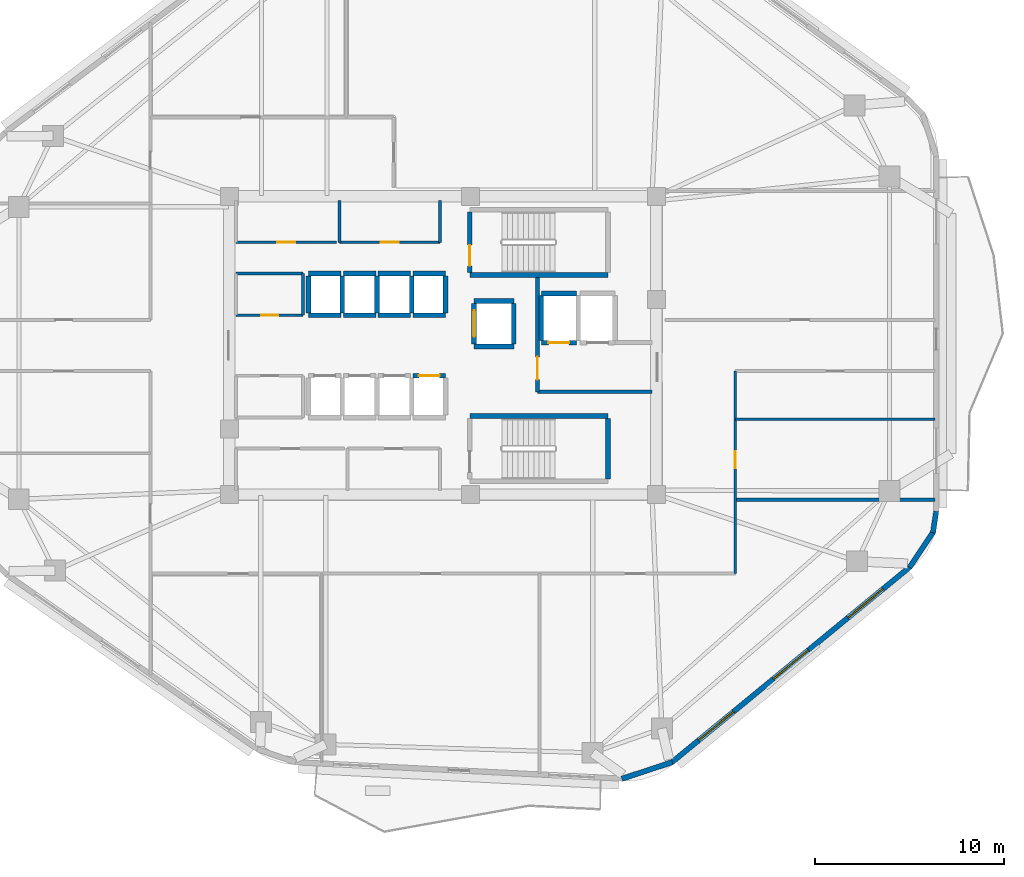
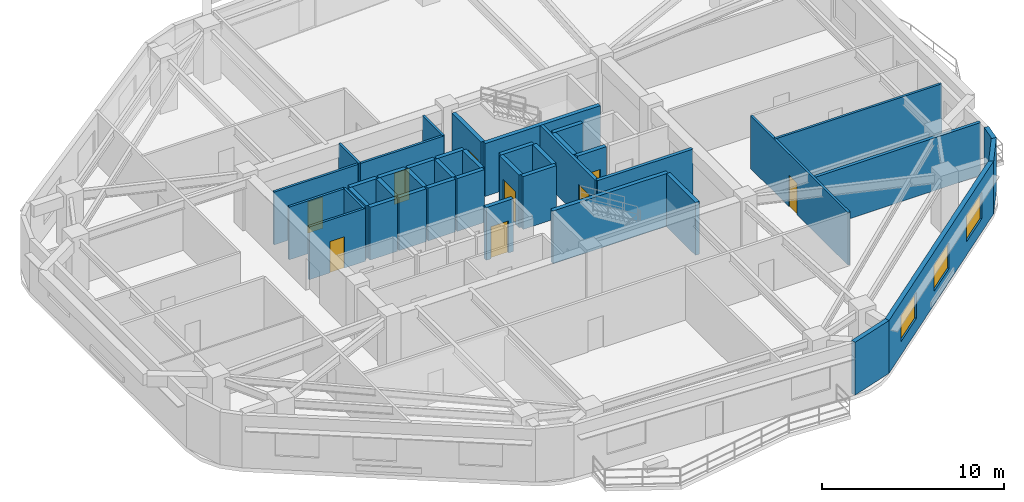
# One storey, part 4 of 8: 41 walls, 9 doors, 3 windows, 12 openings.
"""IFC4 building model written with IfcOpenShell, lengths in metres."""

from ifc_helpers import new_model, si_unit, direction, frame, frame_2d, origin, place, context, subcontext, project, spatial, rectangle, extrude, material, layer, layer_set, type_object, element, fill, save


model = new_model("IFC4")

# Units and contexts
model_context = context("Model", 3, precision=1e-05, world=origin(), true_north=direction((0.0, 1.0)))
body_context = subcontext(model_context, "Body", "Model", "MODEL_VIEW")
ifc_project = project(units=[si_unit("LENGTHUNIT", "METRE"), si_unit("AREAUNIT", "SQUARE_METRE"), si_unit("VOLUMEUNIT", "CUBIC_METRE"), si_unit("PLANEANGLEUNIT", "RADIAN"), si_unit("MASSUNIT", "GRAM", prefix="KILO")], contexts=[model_context])

# Site, building, storey
site_placement = place(None, origin())
site = spatial("IfcSite", under=ifc_project, at=site_placement, CompositionType="ELEMENT")
building_placement = place(site_placement, origin())
building = spatial("IfcBuilding", under=site, at=building_placement, Name="Zulverin Broadcast Headquarters", CompositionType="ELEMENT")
storey_placement = place(building_placement, frame((0.0, 0.0, 136.39990234375)))
storey = spatial("IfcBuildingStorey", under=building, at=storey_placement, Name="L34", CompositionType="ELEMENT", Elevation=136.39990234375)

# Wall
ifc_material_1 = material(Name="Acoustic drywall steel stud", Category="steel")
ifc_layer_1 = layer(ifc_material_1, 0.199951171875, Name="Acoustic drywall steel stud", Category="steel")
ifc_layer_set_1 = layer_set([ifc_layer_1], Name="Acoustic drywall steel stud")
wall_type_1 = type_object("IfcWallType", Name="WL-ACOU-200", PredefinedType="PARTITIONING", material=ifc_layer_set_1)
wall_1_placement = place(storey_placement, frame((52.449951171875, 17.050048828125, 0.0), z_axis=(0.0, 0.0, 1.0), x_axis=(1.0, 0.0, 0.0)))
element("IfcWall", 1, at=wall_1_placement, inside=storey, type_object=wall_type_1, Name="L34 Room Partition Wall RP-09", PredefinedType="PARTITIONING", context=body_context, shape_type="SweptSolid", body=[
    extrude(rectangle(XDim=10.545166015625, YDim=0.199951171875, at=frame_2d((5.2724609375, 0.0))), origin(), (0.0, 0.0, 1.0), 3.5400390625),
])

# Wall, openings, windows
ifc_material_2 = material(Name="Insulated pale-metal clad concrete spandrel C40/50", Category="concrete")
ifc_layer_2 = layer(ifc_material_2, 0.280029296875, Name="Insulated pale-metal clad concrete spandrel C40/50", Category="concrete")
ifc_layer_set_2 = layer_set([ifc_layer_2], Name="Insulated pale-metal clad concrete spandrel C40/50")
wall_type_2 = type_object("IfcWallType", Name="WL-EXT-280", PredefinedType="STANDARD", material=ifc_layer_set_2)
wall_2_placement = place(storey_placement, frame((49.080078125, 3.164306640625, 0.0), z_axis=(0.0, 0.0, 1.0), x_axis=(0.772937830186, 0.634481765433, 0.0)))
wall_2 = element("IfcWall", 2, at=wall_2_placement, inside=storey, type_object=wall_type_2, Name="L34 Pale-Metal Clad Spandrel Wall 2", PredefinedType="STANDARD", context=body_context, shape_type="SweptSolid", body=[
    extrude(rectangle(XDim=16.308837890625, YDim=0.280029296875, at=frame_2d((8.154296875, 0.0))), origin(), (0.0, 0.0, 1.0), 3.5400390625),
])
opening_1_placement = place(wall_2_placement, frame((1.8515625, 0.0, 0.89990234375)))
opening_1 = element("IfcOpeningElement", 3, at=opening_1_placement, cuts=wall_2, Name="Opening W-L34-E21", PredefinedType="OPENING", context=body_context, shape_type="SweptSolid", body=[
    extrude(rectangle(XDim=2.39990234375, YDim=1.75, at=frame_2d((1.199951171875, 0.875))), frame((0.0, 0.14990234375, 0.0), z_axis=(0.0, -1.0, 0.0), x_axis=(1.0, 0.0, 0.0)), (0.0, 0.0, 1.0), 0.300048828125),
])
opening_2_placement = place(wall_2_placement, frame((6.954345703125, 0.0, 0.89990234375)))
opening_2 = element("IfcOpeningElement", 4, at=opening_2_placement, cuts=wall_2, Name="Opening W-L34-E22", PredefinedType="OPENING", context=body_context, shape_type="SweptSolid", body=[
    extrude(rectangle(XDim=2.39990234375, YDim=1.75, at=frame_2d((1.199951171875, 0.875))), frame((0.0, 0.14990234375, 0.0), z_axis=(0.0, -1.0, 0.0), x_axis=(1.0, 0.0, 0.0)), (0.0, 0.0, 1.0), 0.300048828125),
])
opening_3_placement = place(wall_2_placement, frame((12.057373046875, 0.0, 0.89990234375)))
opening_3 = element("IfcOpeningElement", 5, at=opening_3_placement, cuts=wall_2, Name="Opening W-L34-E23", PredefinedType="OPENING", context=body_context, shape_type="SweptSolid", body=[
    extrude(rectangle(XDim=2.39990234375, YDim=1.75, at=frame_2d((1.199951171875, 0.875))), frame((0.0, 0.14990234375, 0.0), z_axis=(0.0, -1.0, 0.0), x_axis=(1.0, 0.0, 0.0)), (0.0, 0.0, 1.0), 0.300048828125),
])
ifc_material_3 = material(Name="Pale anodized aluminium frame with solar-control low-E double glazing", Category="aluminium")
window_type = type_object("IfcWindowType", Name="WIN-RIB-2400", PartitioningType="SINGLE_PANEL", PredefinedType="WINDOW", material=ifc_material_3)
window_1_placement = place(opening_1_placement, origin())
window_1 = element("IfcWindow", 6, at=window_1_placement, inside=storey, type_object=window_type, Name="L34 Ribbon Glazing Window 2 1", OverallHeight=1.75, OverallWidth=2.39990234375, PartitioningType="SINGLE_PANEL", PredefinedType="WINDOW", context=body_context, shape_type="SweptSolid", body=[
    extrude(rectangle(XDim=2.39990234375, YDim=1.75, at=frame_2d((1.199951171875, 0.875))), frame((0.0, 0.030029296875, 0.0), z_axis=(0.0, -1.0, 0.0), x_axis=(1.0, 0.0, 0.0)), (0.0, 0.0, 1.0), 0.06005859375),
])
fill(opening_1, window_1)
window_2_placement = place(opening_2_placement, origin())
window_2 = element("IfcWindow", 7, at=window_2_placement, inside=storey, type_object=window_type, Name="L34 Ribbon Glazing Window 2 2", OverallHeight=1.75, OverallWidth=2.39990234375, PartitioningType="SINGLE_PANEL", PredefinedType="WINDOW", context=body_context, shape_type="SweptSolid", body=[
    extrude(rectangle(XDim=2.39990234375, YDim=1.75, at=frame_2d((1.199951171875, 0.875))), frame((0.0, 0.030029296875, 0.0), z_axis=(0.0, -1.0, 0.0), x_axis=(1.0, 0.0, 0.0)), (0.0, 0.0, 1.0), 0.06005859375),
])
fill(opening_2, window_2)
window_3_placement = place(opening_3_placement, origin())
window_3 = element("IfcWindow", 8, at=window_3_placement, inside=storey, type_object=window_type, Name="L34 Ribbon Glazing Window 2 3", OverallHeight=1.75, OverallWidth=2.39990234375, PartitioningType="SINGLE_PANEL", PredefinedType="WINDOW", context=body_context, shape_type="SweptSolid", body=[
    extrude(rectangle(XDim=2.39990234375, YDim=1.75, at=frame_2d((1.199951171875, 0.875))), frame((0.0, 0.030029296875, 0.0), z_axis=(0.0, -1.0, 0.0), x_axis=(1.0, 0.0, 0.0)), (0.0, 0.0, 1.0), 0.06005859375),
])
fill(opening_3, window_3)

# Walls
wall_3_placement = place(storey_placement, frame((46.455078125, 2.30859375, 0.0), z_axis=(0.0, 0.0, 1.0), x_axis=(0.949677222099, 0.313230224955, 0.0)))
element("IfcWall", 9, at=wall_3_placement, inside=storey, type_object=wall_type_2, Name="L34 Wind-Shaped Corner Spandrel Wall 1-1", PredefinedType="STANDARD", context=body_context, shape_type="SweptSolid", body=[
    extrude(rectangle(XDim=2.811279296875, YDim=0.280029296875, at=frame_2d((1.40576171875, 0.0))), origin(), (0.0, 0.0, 1.0), 3.5400390625),
])
wall_4_placement = place(storey_placement, frame((61.658203125, 13.481689453125, 0.0), z_axis=(0.0, 0.0, 1.0), x_axis=(0.555521224344, 0.831502356764, 0.0)))
element("IfcWall", 10, at=wall_4_placement, inside=storey, type_object=wall_type_2, Name="L34 Wind-Shaped Corner Spandrel Wall 2-1", PredefinedType="STANDARD", context=body_context, shape_type="SweptSolid", body=[
    extrude(rectangle(XDim=2.263671875, YDim=0.280029296875, at=frame_2d((1.1318359375, 0.0))), origin(), (0.0, 0.0, 1.0), 3.5400390625),
])
wall_5_placement = place(storey_placement, frame((62.8935546875, 15.306884765625, 0.0), z_axis=(0.0, 0.0, 1.0), x_axis=(0.146796104284, 0.989166772474, 0.0)))
element("IfcWall", 11, at=wall_5_placement, inside=storey, type_object=wall_type_2, Name="L34 Wind-Shaped Corner Spandrel Wall 2-2", PredefinedType="STANDARD", context=body_context, shape_type="SweptSolid", body=[
    extrude(rectangle(XDim=1.144287109375, YDim=0.280029296875, at=frame_2d((0.572265625, 0.0))), origin(), (0.0, 0.0, 1.0), 3.5400390625),
])

# Wall, opening, door
ifc_material_4 = material(Name="Concrete C40/50", Category="concrete")
ifc_layer_3 = layer(ifc_material_4, 0.199951171875, Name="Concrete C40/50", Category="concrete")
ifc_layer_set_3 = layer_set([ifc_layer_3], Name="Concrete C40/50")
wall_type_3 = type_object("IfcWallType", Name="WL-FFL-200", PredefinedType="SOLIDWALL", material=ifc_layer_set_3)
wall_6_placement = place(storey_placement, frame((42.0, 22.75, 0.0), z_axis=(0.0, 0.0, 1.0), x_axis=(0.0, 1.0, 0.0)))
wall_6 = element("IfcWall", 12, at=wall_6_placement, inside=storey, type_object=wall_type_3, Name="L34 Firefighting Lift Lobby West Wall", PredefinedType="SOLIDWALL", context=body_context, shape_type="SweptSolid", body=[
    extrude(rectangle(XDim=6.050048828125, YDim=0.199951171875, at=frame_2d((3.02490234375, 0.0))), origin(), (0.0, 0.0, 1.0), 3.5400390625),
])
opening_4_placement = place(wall_6_placement, frame((0.64990234375, 0.0, 0.0)))
opening_4 = element("IfcOpeningElement", 13, at=opening_4_placement, cuts=wall_6, Name="Opening D-L34-FFLW", PredefinedType="OPENING", context=body_context, shape_type="SweptSolid", body=[
    extrude(rectangle(XDim=1.199951171875, YDim=2.14990234375, at=frame_2d((0.60009765625, 1.074951171875))), frame((0.0, 0.10986328125, 0.0), z_axis=(0.0, -1.0, 0.0), x_axis=(1.0, 0.0, 0.0)), (0.0, 0.0, 1.0), 0.219970703125),
])
ifc_material_5 = material(Name="Fire-rated steel leaf and frame", Category="steel")
door_type_1 = type_object("IfcDoorType", Name="DR-FFL-1200", OperationType="SINGLE_SWING_RIGHT", PredefinedType="DOOR", material=ifc_material_5)
door_1_placement = place(opening_4_placement, origin())
door_1 = element("IfcDoor", 14, at=door_1_placement, inside=storey, type_object=door_type_1, Name="L34 Firefighting Lift Lobby Door", OperationType="SINGLE_SWING_RIGHT", OverallHeight=2.14990234375, OverallWidth=1.199951171875, PredefinedType="DOOR", context=body_context, shape_type="SweptSolid", body=[
    extrude(rectangle(XDim=1.199951171875, YDim=2.14990234375, at=frame_2d((0.60009765625, 1.074951171875))), frame((0.0, 0.02490234375, 0.0), z_axis=(0.0, -1.0, 0.0), x_axis=(1.0, 0.0, 0.0)), (0.0, 0.0, 1.0), 0.050048828125),
])
fill(opening_4, door_1)

# Wall
wall_7_placement = place(storey_placement, frame((42.0, 22.75, 0.0), z_axis=(0.0, 0.0, 1.0), x_axis=(1.0, 0.0, 0.0)))
element("IfcWall", 15, at=wall_7_placement, inside=storey, type_object=wall_type_3, Name="L34 Firefighting Lift Lobby South Wall", PredefinedType="SOLIDWALL", context=body_context, shape_type="SweptSolid", body=[
    extrude(rectangle(XDim=6.050048828125, YDim=0.199951171875, at=frame_2d((3.02490234375, 0.0))), origin(), (0.0, 0.0, 1.0), 3.5400390625),
])

# Wall, opening, door
ifc_material_6 = material(Name="Fire-rated gypsum stud partition", Category="gypsum")
ifc_layer_4 = layer(ifc_material_6, 0.14990234375, Name="Fire-rated gypsum stud partition", Category="gypsum")
ifc_layer_set_4 = layer_set([ifc_layer_4], Name="Fire-rated gypsum stud partition")
wall_type_4 = type_object("IfcWallType", Name="WL-PART-150", PredefinedType="PARTITIONING", material=ifc_layer_set_4)
wall_8_placement = place(storey_placement, frame((26.070068359375, 30.64990234375, 0.0), z_axis=(0.0, 0.0, 1.0), x_axis=(1.0, 0.0, 0.0)))
wall_8 = element("IfcWall", 16, at=wall_8_placement, inside=storey, type_object=wall_type_4, Name="L34 Core Male WC Front Wall", PredefinedType="PARTITIONING", context=body_context, shape_type="SweptSolid", body=[
    extrude(rectangle(XDim=5.309814453125, YDim=0.14990234375, at=frame_2d((2.65478515625, 0.0))), origin(), (0.0, 0.0, 1.0), 3.5400390625),
])
opening_5_placement = place(wall_8_placement, frame((2.179931640625, 0.0, 0.0)))
opening_5 = element("IfcOpeningElement", 17, at=opening_5_placement, cuts=wall_8, Name="Opening D-L34-NC1", PredefinedType="OPENING", context=body_context, shape_type="SweptSolid", body=[
    extrude(rectangle(XDim=0.949951171875, YDim=2.10009765625, at=frame_2d((0.47509765625, 1.050048828125))), frame((0.0, 0.0849609375, 0.0), z_axis=(0.0, -1.0, 0.0), x_axis=(1.0, 0.0, 0.0)), (0.0, 0.0, 1.0), 0.169921875),
])
ifc_material_7 = material(Name="Fire-rated moisture-resistant laminate leaf", Category="wood")
door_type_2 = type_object("IfcDoorType", Name="DR-WC-950", OperationType="SINGLE_SWING_LEFT", PredefinedType="DOOR", material=ifc_material_7)
door_2_placement = place(opening_5_placement, origin())
door_2 = element("IfcDoor", 18, at=door_2_placement, inside=storey, type_object=door_type_2, Name="L34 Male WC Door", OperationType="SINGLE_SWING_LEFT", OverallHeight=2.10009765625, OverallWidth=0.949951171875, PredefinedType="DOOR", context=body_context, shape_type="SweptSolid", body=[
    extrude(rectangle(XDim=0.949951171875, YDim=2.10009765625, at=frame_2d((0.47509765625, 1.050048828125))), frame((0.0, 0.02490234375, 0.0), z_axis=(0.0, -1.0, 0.0), x_axis=(1.0, 0.0, 0.0)), (0.0, 0.0, 1.0), 0.050048828125),
])
fill(opening_5, door_2)

wall_9_placement = place(storey_placement, frame((31.5400390625, 30.64990234375, 0.0), z_axis=(0.0, 0.0, 1.0), x_axis=(1.0, 0.0, 0.0)))
wall_9 = element("IfcWall", 19, at=wall_9_placement, inside=storey, type_object=wall_type_4, Name="L34 Core Accessible WC Front Wall", PredefinedType="PARTITIONING", context=body_context, shape_type="SweptSolid", body=[
    extrude(rectangle(XDim=5.31005859375, YDim=0.14990234375, at=frame_2d((2.655029296875, 0.0))), origin(), (0.0, 0.0, 1.0), 3.5400390625),
])
opening_6_placement = place(wall_9_placement, frame((2.179931640625, 0.0, 0.0)))
opening_6 = element("IfcOpeningElement", 20, at=opening_6_placement, cuts=wall_9, Name="Opening D-L34-NC2", PredefinedType="OPENING", context=body_context, shape_type="SweptSolid", body=[
    extrude(rectangle(XDim=0.949951171875, YDim=2.10009765625, at=frame_2d((0.47509765625, 1.050048828125))), frame((0.0, 0.0849609375, 0.0), z_axis=(0.0, -1.0, 0.0), x_axis=(1.0, 0.0, 0.0)), (0.0, 0.0, 1.0), 0.169921875),
])
door_3_placement = place(opening_6_placement, origin())
door_3 = element("IfcDoor", 21, at=door_3_placement, inside=storey, type_object=door_type_2, Name="L34 Accessible WC Door", OperationType="SINGLE_SWING_RIGHT", OverallHeight=2.10009765625, OverallWidth=0.949951171875, PredefinedType="DOOR", context=body_context, shape_type="SweptSolid", body=[
    extrude(rectangle(XDim=0.949951171875, YDim=2.10009765625, at=frame_2d((0.47509765625, 1.050048828125))), frame((0.0, 0.02490234375, 0.0), z_axis=(0.0, -1.0, 0.0), x_axis=(1.0, 0.0, 0.0)), (0.0, 0.0, 1.0), 0.050048828125),
])
fill(opening_6, door_3)

# Walls
for number, where, z_axis, x_axis, name in (
    (22, (31.5400390625, 30.64990234375, 0.0), (0.0, 0.0, 1.0), (0.0, 1.0, 0.0), "L34 Core Accessible WC West Wall"),
    (23, (36.85009765625, 30.64990234375, 0.0), (0.0, 0.0, 1.0), (0.0, 1.0, 0.0), "L34 Core Accessible WC East Wall"),
):
    element("IfcWall", number, at=place(storey_placement, frame(where, z_axis=z_axis, x_axis=x_axis)), inside=storey, type_object=wall_type_4, Name=name, PredefinedType="PARTITIONING", context=body_context, shape_type="SweptSolid", body=[
        extrude(rectangle(XDim=2.2001953125, YDim=0.14990234375, at=frame_2d((1.10009765625, 0.0))), origin(), (0.0, 0.0, 1.0), 3.5400390625),
    ])

# Wall, opening, door
wall_10_placement = place(storey_placement, frame((26.070068359375, 26.800048828125, 0.0), z_axis=(0.0, 0.0, 1.0), x_axis=(1.0, 0.0, 0.0)))
wall_10 = element("IfcWall", 24, at=wall_10_placement, inside=storey, type_object=wall_type_4, Name="L34 Broadcast Signal Patch Room S Wall", PredefinedType="PARTITIONING", context=body_context, shape_type="SweptSolid", body=[
    extrude(rectangle(XDim=3.550048828125, YDim=0.14990234375, at=frame_2d((1.77490234375, 0.0))), origin(), (0.0, 0.0, 1.0), 3.5400390625),
])
opening_7_placement = place(wall_10_placement, frame((1.324951171875, 0.0, 0.0)))
opening_7 = element("IfcOpeningElement", 25, at=opening_7_placement, cuts=wall_10, Name="Opening D-L34-RCLN", PredefinedType="OPENING", context=body_context, shape_type="SweptSolid", body=[
    extrude(rectangle(XDim=0.89990234375, YDim=2.10009765625, at=frame_2d((0.449951171875, 1.050048828125))), frame((0.0, 0.0849609375, 0.0), z_axis=(0.0, -1.0, 0.0), x_axis=(1.0, 0.0, 0.0)), (0.0, 0.0, 1.0), 0.169921875),
])
ifc_material_8 = material(Name="Powder-coated steel access leaf", Category="steel")
door_type_3 = type_object("IfcDoorType", Name="DR-RISER-900", OperationType="SINGLE_SWING_LEFT", PredefinedType="DOOR", material=ifc_material_8)
door_4_placement = place(opening_7_placement, origin())
door_4 = element("IfcDoor", 26, at=door_4_placement, inside=storey, type_object=door_type_3, Name="L34 Broadcast Signal Patch Room Door", OperationType="SINGLE_SWING_LEFT", OverallHeight=2.10009765625, OverallWidth=0.89990234375, PredefinedType="DOOR", context=body_context, shape_type="SweptSolid", body=[
    extrude(rectangle(XDim=0.89990234375, YDim=2.10009765625, at=frame_2d((0.449951171875, 1.050048828125))), frame((0.0, 0.02490234375, 0.0), z_axis=(0.0, -1.0, 0.0), x_axis=(1.0, 0.0, 0.0)), (0.0, 0.0, 1.0), 0.050048828125),
])
fill(opening_7, door_4)

# Walls
wall_11_placement = place(storey_placement, frame((26.070068359375, 29.0, 0.0), z_axis=(0.0, 0.0, 1.0), x_axis=(1.0, 0.0, 0.0)))
element("IfcWall", 27, at=wall_11_placement, inside=storey, type_object=wall_type_4, Name="L34 Broadcast Signal Patch Room N Wall", PredefinedType="PARTITIONING", context=body_context, shape_type="SweptSolid", body=[
    extrude(rectangle(XDim=3.550048828125, YDim=0.14990234375, at=frame_2d((1.77490234375, 0.0))), origin(), (0.0, 0.0, 1.0), 3.5400390625),
])
wall_12_placement = place(storey_placement, frame((29.6201171875, 26.800048828125, 0.0), z_axis=(0.0, 0.0, 1.0), x_axis=(0.0, 1.0, 0.0)))
element("IfcWall", 28, at=wall_12_placement, inside=storey, type_object=wall_type_4, Name="L34 Broadcast Signal Patch Room E Wall", PredefinedType="PARTITIONING", context=body_context, shape_type="SweptSolid", body=[
    extrude(rectangle(XDim=2.199951171875, YDim=0.14990234375, at=frame_2d((1.10009765625, 0.0))), origin(), (0.0, 0.0, 1.0), 3.5400390625),
])

# Wall, opening, door
wall_13_placement = place(storey_placement, frame((52.449951171875, 13.14990234375, 0.0), z_axis=(0.0, 0.0, 1.0), x_axis=(0.0, 1.0, 0.0)))
wall_13 = element("IfcWall", 29, at=wall_13_placement, inside=storey, type_object=wall_type_4, Name="L34 Gallery Partition Wall CG-01", PredefinedType="PARTITIONING", context=body_context, shape_type="SweptSolid", body=[
    extrude(rectangle(XDim=10.7001953125, YDim=0.14990234375, at=frame_2d((5.35009765625, 0.0))), origin(), (0.0, 0.0, 1.0), 3.5400390625),
])
opening_8_placement = place(wall_13_placement, frame((5.574951171875, 0.0, 0.0)))
opening_8 = element("IfcOpeningElement", 30, at=opening_8_placement, cuts=wall_13, Name="Opening D-L34-10", PredefinedType="OPENING", context=body_context, shape_type="SweptSolid", body=[
    extrude(rectangle(XDim=0.89990234375, YDim=2.10009765625, at=frame_2d((0.449951171875, 1.050048828125))), frame((0.0, 0.0849609375, 0.0), z_axis=(0.0, -1.0, 0.0), x_axis=(1.0, 0.0, 0.0)), (0.0, 0.0, 1.0), 0.169921875),
])
ifc_material_9 = material(Name="Fire-rated hardwood veneer timber leaf", Category="wood")
door_type_4 = type_object("IfcDoorType", Name="DR-ROOM-900", OperationType="SINGLE_SWING_RIGHT", PredefinedType="DOOR", material=ifc_material_9)
door_5_placement = place(opening_8_placement, origin())
door_5 = element("IfcDoor", 31, at=door_5_placement, inside=storey, type_object=door_type_4, Name="L34 Reference Library Door", OperationType="SINGLE_SWING_RIGHT", OverallHeight=2.10009765625, OverallWidth=0.89990234375, PredefinedType="DOOR", context=body_context, shape_type="SweptSolid", body=[
    extrude(rectangle(XDim=0.89990234375, YDim=2.10009765625, at=frame_2d((0.449951171875, 1.050048828125))), frame((0.0, 0.02490234375, 0.0), z_axis=(0.0, -1.0, 0.0), x_axis=(1.0, 0.0, 0.0)), (0.0, 0.0, 1.0), 0.050048828125),
])
fill(opening_8, door_5)

# Walls
wall_14_placement = place(storey_placement, frame((52.449951171875, 21.300048828125, 0.0), z_axis=(0.0, 0.0, 1.0), x_axis=(1.0, 0.0, 0.0)))
element("IfcWall", 32, at=wall_14_placement, inside=storey, type_object=wall_type_4, Name="L34 Room Partition Wall RP-11", PredefinedType="PARTITIONING", context=body_context, shape_type="SweptSolid", body=[
    extrude(rectangle(XDim=10.545166015625, YDim=0.14990234375, at=frame_2d((5.2724609375, 0.0))), origin(), (0.0, 0.0, 1.0), 3.5400390625),
])
ifc_material_10 = material(Name="Concrete C50/60", Category="concrete")
ifc_layer_5 = layer(ifc_material_10, 0.25, Name="Concrete C50/60", Category="concrete")
ifc_layer_set_5 = layer_set([ifc_layer_5], Name="Concrete C50/60")
wall_type_5 = type_object("IfcWallType", Name="WL-SHAFT-250", PredefinedType="SHEAR", material=ifc_layer_set_5)
wall_15_placement = place(storey_placement, frame((38.425048828125, 28.925048828125, 0.0), z_axis=(0.0, 0.0, 1.0), x_axis=(1.0, 0.0, 0.0)))
element("IfcWall", 33, at=wall_15_placement, inside=storey, type_object=wall_type_5, Name="L34 ST-1 Enclosure Wall S", PredefinedType="SHEAR", context=body_context, shape_type="SweptSolid", body=[
    extrude(rectangle(XDim=7.300048828125, YDim=0.25, at=frame_2d((3.64990234375, 0.0))), origin(), (0.0, 0.0, 1.0), 3.5400390625),
])

# Wall, opening, door
wall_16_placement = place(storey_placement, frame((38.425048828125, 29.050048828125, 0.0), z_axis=(0.0, 0.0, 1.0), x_axis=(0.0, 1.0, 0.0)))
wall_16 = element("IfcWall", 34, at=wall_16_placement, inside=storey, type_object=wall_type_5, Name="L34 ST-1 Enclosure Wall W", PredefinedType="SHEAR", context=body_context, shape_type="SweptSolid", body=[
    extrude(rectangle(XDim=3.199951171875, YDim=0.25, at=frame_2d((1.60009765625, 0.0))), origin(), (0.0, 0.0, 1.0), 3.5400390625),
])
opening_9_placement = place(wall_16_placement, frame((0.35009765625, 0.0, 0.0)))
opening_9 = element("IfcOpeningElement", 35, at=opening_9_placement, cuts=wall_16, Name="Opening D-L34-ST-1", PredefinedType="OPENING", context=body_context, shape_type="SweptSolid", body=[
    extrude(rectangle(XDim=1.10009765625, YDim=2.14990234375, at=frame_2d((0.550048828125, 1.074951171875))), frame((0.0, 0.135009765625, 0.0), z_axis=(0.0, -1.0, 0.0), x_axis=(1.0, 0.0, 0.0)), (0.0, 0.0, 1.0), 0.27001953125),
])
door_type_5 = type_object("IfcDoorType", Name="DR-STAIR-1100", OperationType="SINGLE_SWING_LEFT", PredefinedType="DOOR", material=ifc_material_5)
door_6_placement = place(opening_9_placement, origin())
door_6 = element("IfcDoor", 36, at=door_6_placement, inside=storey, type_object=door_type_5, Name="L34 Exit Stair ST-1 Fire Door", OperationType="SINGLE_SWING_LEFT", OverallHeight=2.14990234375, OverallWidth=1.10009765625, PredefinedType="DOOR", context=body_context, shape_type="SweptSolid", body=[
    extrude(rectangle(XDim=1.10009765625, YDim=2.14990234375, at=frame_2d((0.550048828125, 1.074951171875))), frame((0.0, 0.02490234375, 0.0), z_axis=(0.0, -1.0, 0.0), x_axis=(1.0, 0.0, 0.0)), (0.0, 0.0, 1.0), 0.050048828125),
])
fill(opening_9, door_6)

# Walls
wall_17_placement = place(storey_placement, frame((38.425048828125, 21.47509765625, 0.0), z_axis=(0.0, 0.0, 1.0), x_axis=(1.0, 0.0, 0.0)))
element("IfcWall", 37, at=wall_17_placement, inside=storey, type_object=wall_type_5, Name="L34 ST-2 Enclosure Wall N", PredefinedType="SHEAR", context=body_context, shape_type="SweptSolid", body=[
    extrude(rectangle(XDim=7.300048828125, YDim=0.25, at=frame_2d((3.64990234375, 0.0))), origin(), (0.0, 0.0, 1.0), 3.5400390625),
])
wall_18_placement = place(storey_placement, frame((45.72509765625, 18.14990234375, 0.0), z_axis=(0.0, 0.0, 1.0), x_axis=(0.0, 1.0, 0.0)))
element("IfcWall", 38, at=wall_18_placement, inside=storey, type_object=wall_type_5, Name="L34 ST-2 Enclosure Wall E", PredefinedType="SHEAR", context=body_context, shape_type="SweptSolid", body=[
    extrude(rectangle(XDim=3.2001953125, YDim=0.25, at=frame_2d((1.60009765625, 0.0))), origin(), (0.0, 0.0, 1.0), 3.5400390625),
])

# Wall, opening, door
wall_19_placement = place(storey_placement, frame((35.419921875, 23.60009765625, 0.0), z_axis=(0.0, 0.0, 1.0), x_axis=(1.0, 0.0, 0.0)))
wall_19 = element("IfcWall", 39, at=wall_19_placement, inside=storey, type_object=wall_type_5, Name="L34 Lift PL-M4 Shaft Wall N", PredefinedType="SHEAR", context=body_context, shape_type="SweptSolid", body=[
    extrude(rectangle(XDim=1.719970703125, YDim=0.25, at=frame_2d((0.85986328125, 0.0))), origin(), (0.0, 0.0, 1.0), 3.5400390625),
])
opening_10_placement = place(wall_19_placement, frame((0.31005859375, 0.0, 0.0)))
opening_10 = element("IfcOpeningElement", 40, at=opening_10_placement, cuts=wall_19, Name="Opening LD-PL-M4-L34", PredefinedType="OPENING", context=body_context, shape_type="SweptSolid", body=[
    extrude(rectangle(XDim=1.10009765625, YDim=2.14990234375, at=frame_2d((0.550048828125, 1.074951171875))), frame((0.0, 0.135009765625, 0.0), z_axis=(0.0, -1.0, 0.0), x_axis=(1.0, 0.0, 0.0)), (0.0, 0.0, 1.0), 0.27001953125),
])
ifc_material_11 = material(Name="Brushed stainless steel landing", Category="steel")
door_type_6 = type_object("IfcDoorType", Name="LD-PASS-1100", OperationType="DOUBLE_DOOR_SLIDING", PredefinedType="DOOR", material=ifc_material_11)
door_7_placement = place(opening_10_placement, origin())
door_7 = element("IfcDoor", 41, at=door_7_placement, inside=storey, type_object=door_type_6, Name="L34 Lift PL-M4 Sliding Landing Door", OperationType="DOUBLE_DOOR_SLIDING", OverallHeight=2.14990234375, OverallWidth=1.10009765625, PredefinedType="DOOR", context=body_context, shape_type="SweptSolid", body=[
    extrude(rectangle(XDim=1.10009765625, YDim=2.14990234375, at=frame_2d((0.550048828125, 1.074951171875))), frame((0.0, 0.02490234375, 0.0), z_axis=(0.0, -1.0, 0.0), x_axis=(1.0, 0.0, 0.0)), (0.0, 0.0, 1.0), 0.050048828125),
])
fill(opening_10, door_7)

# Walls
for number, where, z_axis, x_axis, name in (
    (42, (29.89990234375, 26.800048828125, 0.0), (0.0, 0.0, 1.0), (1.0, 0.0, 0.0), "L34 Lift PL-H1 Shaft Wall S"),
    (43, (29.89990234375, 29.0, 0.0), (0.0, 0.0, 1.0), (1.0, 0.0, 0.0), "L34 Lift PL-H1 Shaft Wall N"),
):
    element("IfcWall", number, at=place(storey_placement, frame(where, z_axis=z_axis, x_axis=x_axis)), inside=storey, type_object=wall_type_5, Name=name, PredefinedType="SHEAR", context=body_context, shape_type="SweptSolid", body=[
        extrude(rectangle(XDim=1.72021484375, YDim=0.25, at=frame_2d((0.860107421875, 0.0))), origin(), (0.0, 0.0, 1.0), 3.5400390625),
    ])
for number, where, z_axis, x_axis, name in (
    (44, (29.89990234375, 26.919921875, 0.0), (0.0, 0.0, 1.0), (0.0, 1.0, 0.0), "L34 Lift PL-H1 Shaft Wall W"),
    (45, (31.679931640625, 26.919921875, 0.0), (0.0, 0.0, 1.0), (0.0, 1.0, 0.0), "L34 Lift PL-H1 Shaft Wall E"),
):
    element("IfcWall", number, at=place(storey_placement, frame(where, z_axis=z_axis, x_axis=x_axis)), inside=storey, type_object=wall_type_5, Name=name, PredefinedType="SHEAR", context=body_context, shape_type="SweptSolid", body=[
        extrude(rectangle(XDim=1.9599609375, YDim=0.25, at=frame_2d((0.97998046875, 0.0))), origin(), (0.0, 0.0, 1.0), 3.5400390625),
    ])
for number, where, z_axis, x_axis, name in (
    (46, (31.739990234375, 26.800048828125, 0.0), (0.0, 0.0, 1.0), (1.0, 0.0, 0.0), "L34 Lift PL-H2 Shaft Wall S"),
    (47, (31.739990234375, 29.0, 0.0), (0.0, 0.0, 1.0), (1.0, 0.0, 0.0), "L34 Lift PL-H2 Shaft Wall N"),
):
    element("IfcWall", number, at=place(storey_placement, frame(where, z_axis=z_axis, x_axis=x_axis)), inside=storey, type_object=wall_type_5, Name=name, PredefinedType="SHEAR", context=body_context, shape_type="SweptSolid", body=[
        extrude(rectangle(XDim=1.719970703125, YDim=0.25, at=frame_2d((0.85986328125, 0.0))), origin(), (0.0, 0.0, 1.0), 3.5400390625),
    ])
wall_20_placement = place(storey_placement, frame((33.52001953125, 26.919921875, 0.0), z_axis=(0.0, 0.0, 1.0), x_axis=(0.0, 1.0, 0.0)))
element("IfcWall", 48, at=wall_20_placement, inside=storey, type_object=wall_type_5, Name="L34 Lift PL-H2 Shaft Wall E", PredefinedType="SHEAR", context=body_context, shape_type="SweptSolid", body=[
    extrude(rectangle(XDim=1.9599609375, YDim=0.25, at=frame_2d((0.97998046875, 0.0))), origin(), (0.0, 0.0, 1.0), 3.5400390625),
])
for number, where, z_axis, x_axis, name in (
    (49, (33.580078125, 26.800048828125, 0.0), (0.0, 0.0, 1.0), (1.0, 0.0, 0.0), "L34 Lift PL-H3 Shaft Wall S"),
    (50, (33.580078125, 29.0, 0.0), (0.0, 0.0, 1.0), (1.0, 0.0, 0.0), "L34 Lift PL-H3 Shaft Wall N"),
):
    element("IfcWall", number, at=place(storey_placement, frame(where, z_axis=z_axis, x_axis=x_axis)), inside=storey, type_object=wall_type_5, Name=name, PredefinedType="SHEAR", context=body_context, shape_type="SweptSolid", body=[
        extrude(rectangle(XDim=1.719970703125, YDim=0.25, at=frame_2d((0.85986328125, 0.0))), origin(), (0.0, 0.0, 1.0), 3.5400390625),
    ])
wall_21_placement = place(storey_placement, frame((35.360107421875, 26.919921875, 0.0), z_axis=(0.0, 0.0, 1.0), x_axis=(0.0, 1.0, 0.0)))
element("IfcWall", 51, at=wall_21_placement, inside=storey, type_object=wall_type_5, Name="L34 Lift PL-H3 Shaft Wall E", PredefinedType="SHEAR", context=body_context, shape_type="SweptSolid", body=[
    extrude(rectangle(XDim=1.9599609375, YDim=0.25, at=frame_2d((0.97998046875, 0.0))), origin(), (0.0, 0.0, 1.0), 3.5400390625),
])
for number, where, z_axis, x_axis, name in (
    (52, (35.419921875, 26.800048828125, 0.0), (0.0, 0.0, 1.0), (1.0, 0.0, 0.0), "L34 Lift PL-H4 Shaft Wall S"),
    (53, (35.419921875, 29.0, 0.0), (0.0, 0.0, 1.0), (1.0, 0.0, 0.0), "L34 Lift PL-H4 Shaft Wall N"),
):
    element("IfcWall", number, at=place(storey_placement, frame(where, z_axis=z_axis, x_axis=x_axis)), inside=storey, type_object=wall_type_5, Name=name, PredefinedType="SHEAR", context=body_context, shape_type="SweptSolid", body=[
        extrude(rectangle(XDim=1.719970703125, YDim=0.25, at=frame_2d((0.85986328125, 0.0))), origin(), (0.0, 0.0, 1.0), 3.5400390625),
    ])
wall_22_placement = place(storey_placement, frame((37.139892578125, 26.919921875, 0.0), z_axis=(0.0, 0.0, 1.0), x_axis=(0.0, 1.0, 0.0)))
element("IfcWall", 54, at=wall_22_placement, inside=storey, type_object=wall_type_5, Name="L34 Lift PL-H4 Shaft Wall E", PredefinedType="SHEAR", context=body_context, shape_type="SweptSolid", body=[
    extrude(rectangle(XDim=1.9599609375, YDim=0.25, at=frame_2d((0.97998046875, 0.0))), origin(), (0.0, 0.0, 1.0), 3.5400390625),
])

# Wall, opening, door
wall_23_placement = place(storey_placement, frame((42.199951171875, 25.35009765625, 0.0), z_axis=(0.0, 0.0, 1.0), x_axis=(1.0, 0.0, 0.0)))
wall_23 = element("IfcWall", 55, at=wall_23_placement, inside=storey, type_object=wall_type_5, Name="L34 Lift FFL-1 Shaft Wall S", PredefinedType="SHEAR", context=body_context, shape_type="SweptSolid", body=[
    extrude(rectangle(XDim=1.85009765625, YDim=0.25, at=frame_2d((0.925048828125, 0.0))), origin(), (0.0, 0.0, 1.0), 3.5400390625),
])
opening_11_placement = place(wall_23_placement, frame((0.375, 0.0, 0.0)))
opening_11 = element("IfcOpeningElement", 56, at=opening_11_placement, cuts=wall_23, Name="Opening LD-FFL-1-L34", PredefinedType="OPENING", context=body_context, shape_type="SweptSolid", body=[
    extrude(rectangle(XDim=1.10009765625, YDim=2.14990234375, at=frame_2d((0.550048828125, 1.074951171875))), frame((0.0, 0.135009765625, 0.0), z_axis=(0.0, -1.0, 0.0), x_axis=(1.0, 0.0, 0.0)), (0.0, 0.0, 1.0), 0.27001953125),
])
ifc_material_12 = material(Name="Fire-rated stainless landing door", Category="steel")
door_type_7 = type_object("IfcDoorType", Name="LD-FFL-1100", OperationType="DOUBLE_DOOR_SLIDING", PredefinedType="DOOR", material=ifc_material_12)
door_8_placement = place(opening_11_placement, origin())
door_8 = element("IfcDoor", 57, at=door_8_placement, inside=storey, type_object=door_type_7, Name="L34 Lift FFL-1 Sliding Landing Door", OperationType="DOUBLE_DOOR_SLIDING", OverallHeight=2.14990234375, OverallWidth=1.10009765625, PredefinedType="DOOR", context=body_context, shape_type="SweptSolid", body=[
    extrude(rectangle(XDim=1.10009765625, YDim=2.14990234375, at=frame_2d((0.550048828125, 1.074951171875))), frame((0.0, 0.02490234375, 0.0), z_axis=(0.0, -1.0, 0.0), x_axis=(1.0, 0.0, 0.0)), (0.0, 0.0, 1.0), 0.050048828125),
])
fill(opening_11, door_8)

# Walls
wall_24_placement = place(storey_placement, frame((42.199951171875, 27.949951171875, 0.0), z_axis=(0.0, 0.0, 1.0), x_axis=(1.0, 0.0, 0.0)))
element("IfcWall", 58, at=wall_24_placement, inside=storey, type_object=wall_type_5, Name="L34 Lift FFL-1 Shaft Wall N", PredefinedType="SHEAR", context=body_context, shape_type="SweptSolid", body=[
    extrude(rectangle(XDim=1.85009765625, YDim=0.25, at=frame_2d((0.925048828125, 0.0))), origin(), (0.0, 0.0, 1.0), 3.5400390625),
])
wall_25_placement = place(storey_placement, frame((42.199951171875, 25.469970703125, 0.0), z_axis=(0.0, 0.0, 1.0), x_axis=(0.0, 1.0, 0.0)))
element("IfcWall", 59, at=wall_25_placement, inside=storey, type_object=wall_type_5, Name="L34 Lift FFL-1 Shaft Wall W", PredefinedType="SHEAR", context=body_context, shape_type="SweptSolid", body=[
    extrude(rectangle(XDim=2.360107421875, YDim=0.25, at=frame_2d((1.18017578125, 0.0))), origin(), (0.0, 0.0, 1.0), 3.5400390625),
])
for number, where, z_axis, x_axis, name in (
    (60, (38.64990234375, 25.14990234375, 0.0), (0.0, 0.0, 1.0), (1.0, 0.0, 0.0), "L34 Lift SVL-1 Shaft Wall S"),
    (61, (38.64990234375, 27.550048828125, 0.0), (0.0, 0.0, 1.0), (1.0, 0.0, 0.0), "L34 Lift SVL-1 Shaft Wall N"),
):
    element("IfcWall", number, at=place(storey_placement, frame(where, z_axis=z_axis, x_axis=x_axis)), inside=storey, type_object=wall_type_5, Name=name, PredefinedType="SHEAR", context=body_context, shape_type="SweptSolid", body=[
        extrude(rectangle(XDim=2.10009765625, YDim=0.25, at=frame_2d((1.050048828125, 0.0))), origin(), (0.0, 0.0, 1.0), 3.5400390625),
    ])

# Wall, opening, door
wall_26_placement = place(storey_placement, frame((38.64990234375, 25.27001953125, 0.0), z_axis=(0.0, 0.0, 1.0), x_axis=(0.0, 1.0, 0.0)))
wall_26 = element("IfcWall", 62, at=wall_26_placement, inside=storey, type_object=wall_type_5, Name="L34 Lift SVL-1 Shaft Wall W", PredefinedType="SHEAR", context=body_context, shape_type="SweptSolid", body=[
    extrude(rectangle(XDim=2.159912109375, YDim=0.25, at=frame_2d((1.080078125, 0.0))), origin(), (0.0, 0.0, 1.0), 3.5400390625),
])
opening_12_placement = place(wall_26_placement, frame((0.3798828125, 0.0, 0.0)))
opening_12 = element("IfcOpeningElement", 63, at=opening_12_placement, cuts=wall_26, Name="Opening LD-SVL-1-L34", PredefinedType="OPENING", context=body_context, shape_type="SweptSolid", body=[
    extrude(rectangle(XDim=1.39990234375, YDim=2.199951171875, at=frame_2d((0.699951171875, 1.10009765625))), frame((0.0, 0.135009765625, 0.0), z_axis=(0.0, -1.0, 0.0), x_axis=(1.0, 0.0, 0.0)), (0.0, 0.0, 1.0), 0.27001953125),
])
ifc_material_13 = material(Name="Heavy-duty stainless landing door", Category="steel")
door_type_8 = type_object("IfcDoorType", Name="LD-GOODS-1400", OperationType="DOUBLE_DOOR_SLIDING", PredefinedType="DOOR", material=ifc_material_13)
door_9_placement = place(opening_12_placement, origin())
door_9 = element("IfcDoor", 64, at=door_9_placement, inside=storey, type_object=door_type_8, Name="L34 Lift SVL-1 Sliding Landing Door", OperationType="DOUBLE_DOOR_SLIDING", OverallHeight=2.199951171875, OverallWidth=1.39990234375, PredefinedType="DOOR", context=body_context, shape_type="SweptSolid", body=[
    extrude(rectangle(XDim=1.39990234375, YDim=2.199951171875, at=frame_2d((0.699951171875, 1.10009765625))), frame((0.0, 0.02490234375, 0.0), z_axis=(0.0, -1.0, 0.0), x_axis=(1.0, 0.0, 0.0)), (0.0, 0.0, 1.0), 0.050048828125),
])
fill(opening_12, door_9)

# Wall
wall_27_placement = place(storey_placement, frame((40.75, 25.27001953125, 0.0), z_axis=(0.0, 0.0, 1.0), x_axis=(0.0, 1.0, 0.0)))
element("IfcWall", 65, at=wall_27_placement, inside=storey, type_object=wall_type_5, Name="L34 Lift SVL-1 Shaft Wall E", PredefinedType="SHEAR", context=body_context, shape_type="SweptSolid", body=[
    extrude(rectangle(XDim=2.159912109375, YDim=0.25, at=frame_2d((1.080078125, 0.0))), origin(), (0.0, 0.0, 1.0), 3.5400390625),
])

save(model, "model.ifc")
